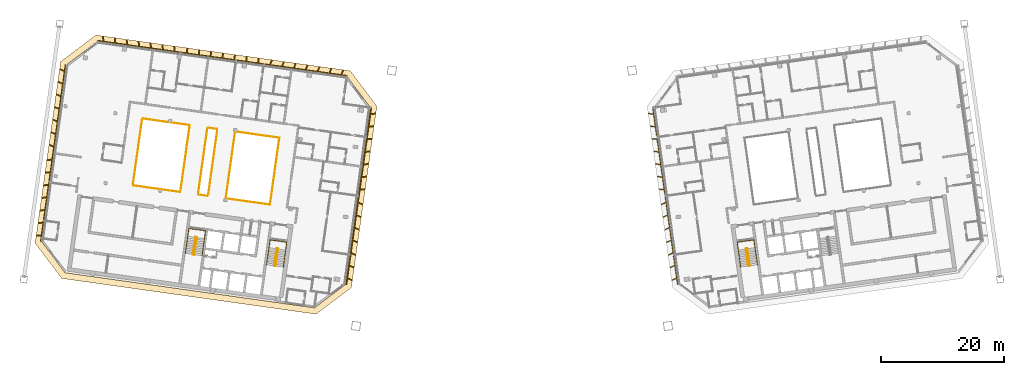
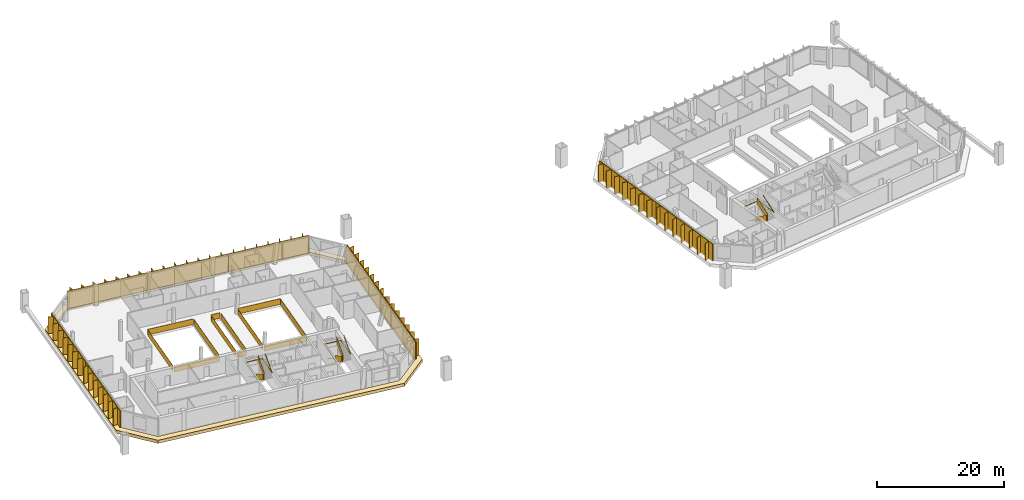
# One storey, part 25 of 26: 16 railings, 9 shading devices, 1 covering.
"""IFC4 building model written with IfcOpenShell, lengths in metres."""

from ifc_helpers import new_model, si_unit, direction, frame, origin, origin_2d, place, context, subcontext, project, spatial, polyline, rectangle, outline, extrude, material, layer, layer_set, type_object, element, save


model = new_model("IFC4")

# Units and contexts
model_context = context("Model", 3, precision=1e-05, world=origin(), true_north=direction((0.0, 1.0)))
body_context = subcontext(model_context, "Body", "Model", "MODEL_VIEW")
ifc_project = project(units=[si_unit("LENGTHUNIT", "METRE"), si_unit("AREAUNIT", "SQUARE_METRE"), si_unit("VOLUMEUNIT", "CUBIC_METRE"), si_unit("PLANEANGLEUNIT", "RADIAN"), si_unit("MASSUNIT", "GRAM", prefix="KILO")], contexts=[model_context])

# Site, building, storey
site_placement = place(None, origin())
site = spatial("IfcSite", under=ifc_project, at=site_placement, CompositionType="ELEMENT")
building_placement = place(site_placement, origin())
building = spatial("IfcBuilding", under=site, at=building_placement, Name="Mirante Cascada Hotel Towers", CompositionType="ELEMENT")
storey_placement = place(building_placement, frame((0.0, 0.0, 216.6)))
storey = spatial("IfcBuildingStorey", under=building, at=storey_placement, Name="L51", CompositionType="ELEMENT", Elevation=216.6)

# Railings
ifc_material_1 = material(Name="Toughened glass with stainless steel handrail", Category="steel")
railing_type_1 = type_object("IfcRailingType", Name="Atrium guard 1100 glass balustrade", PredefinedType="GUARDRAIL", material=ifc_material_1)
railing_1_placement = place(storey_placement, frame((-45.0091, 7.7841, 0.0)))
element("IfcRailing", 1, at=railing_1_placement, inside=storey, type_object=railing_type_1, Name="GUARD 1-L51-1", PredefinedType="GUARDRAIL", context=body_context, shape_type="SweptSolid", body=[
    extrude(rectangle(XDim=0.048, YDim=0.048, at=origin_2d()), frame((0.0, 0.0, 1.076), z_axis=(0.9902678, -0.1391751, 0.0), x_axis=(0.1391751, 0.9902678, 0.0)), (0.0, 0.0, 1.0), 7.2247),
    extrude(rectangle(XDim=0.02, YDim=1.052, at=origin_2d()), frame((0.0, 0.0, 0.526), z_axis=(0.9902678, -0.1391751, 0.0), x_axis=(0.1391751, 0.9902678, 0.0)), (0.0, 0.0, 1.0), 7.2247),
    extrude(rectangle(XDim=0.048, YDim=0.048, at=origin_2d()), frame((7.1544, -1.0055, 1.076), z_axis=(-0.1391721, -0.9902682, 0.0), x_axis=(0.9902682, -0.1391721, 0.0)), (0.0, 0.0, 1.0), 11.0001),
    extrude(rectangle(XDim=0.02, YDim=1.052, at=origin_2d()), frame((7.1544, -1.0055, 0.526), z_axis=(-0.1391721, -0.9902682, 0.0), x_axis=(0.9902682, -0.1391721, 0.0)), (0.0, 0.0, 1.0), 11.0001),
    extrude(rectangle(XDim=0.048, YDim=0.048, at=origin_2d()), frame((5.6235, -11.8985, 1.076), z_axis=(-0.9902678, 0.1391751, 0.0), x_axis=(-0.1391751, -0.9902678, 0.0)), (0.0, 0.0, 1.0), 7.2247),
    extrude(rectangle(XDim=0.02, YDim=1.052, at=origin_2d()), frame((5.6235, -11.8985, 0.526), z_axis=(-0.9902678, 0.1391751, 0.0), x_axis=(-0.1391751, -0.9902678, 0.0)), (0.0, 0.0, 1.0), 7.2247),
])
railing_2_placement = place(storey_placement, frame((-49.5108, -2.6914, 0.0)))
element("IfcRailing", 2, at=railing_2_placement, inside=storey, type_object=railing_type_1, Name="GUARD 1-L51-2", PredefinedType="GUARDRAIL", context=body_context, shape_type="SweptSolid", body=[
    extrude(rectangle(XDim=0.048, YDim=0.048, at=origin_2d()), frame((0.0, 0.0, 1.076), z_axis=(-0.9902609, 0.1392243, 0.0), x_axis=(-0.1392243, -0.9902609, 0.0)), (0.0, 0.0, 1.0), 1.555),
    extrude(rectangle(XDim=0.02, YDim=1.052, at=origin_2d()), frame((0.0, 0.0, 0.526), z_axis=(-0.9902609, 0.1392243, 0.0), x_axis=(-0.1392243, -0.9902609, 0.0)), (0.0, 0.0, 1.0), 1.555),
])
railing_3_placement = place(storey_placement, frame((-49.5198, 8.418, 0.0)))
element("IfcRailing", 3, at=railing_3_placement, inside=storey, type_object=railing_type_1, Name="GUARD 1-L51-3", PredefinedType="GUARDRAIL", context=body_context, shape_type="SweptSolid", body=[
    extrude(rectangle(XDim=0.048, YDim=0.048, at=origin_2d()), frame((0.0, 0.0, 1.076), z_axis=(0.9902697, -0.1391612, 0.0), x_axis=(0.1391612, 0.9902697, 0.0)), (0.0, 0.0, 1.0), 1.555),
    extrude(rectangle(XDim=0.02, YDim=1.052, at=origin_2d()), frame((0.0, 0.0, 0.526), z_axis=(0.9902697, -0.1391612, 0.0), x_axis=(0.1391612, 0.9902697, 0.0)), (0.0, 0.0, 1.0), 1.555),
])
railing_4_placement = place(storey_placement, frame((-54.0215, -2.0574, 0.0)))
element("IfcRailing", 4, at=railing_4_placement, inside=storey, type_object=railing_type_1, Name="GUARD 1-L51-4", PredefinedType="GUARDRAIL", context=body_context, shape_type="SweptSolid", body=[
    extrude(rectangle(XDim=0.048, YDim=0.048, at=origin_2d()), frame((0.0, 0.0, 1.076), z_axis=(-0.9902689, 0.1391669, 0.0), x_axis=(-0.1391669, -0.9902689, 0.0)), (0.0, 0.0, 1.0), 7.7202),
    extrude(rectangle(XDim=0.02, YDim=1.052, at=origin_2d()), frame((0.0, 0.0, 0.526), z_axis=(-0.9902689, 0.1391669, 0.0), x_axis=(-0.1391669, -0.9902689, 0.0)), (0.0, 0.0, 1.0), 7.7202),
    extrude(rectangle(XDim=0.048, YDim=0.048, at=origin_2d()), frame((-7.6451, 1.0744, 1.076), z_axis=(0.9902918, -0.1390043, 0.0), x_axis=(0.1390043, 0.9902918, 0.0)), (0.0, 0.0, 1.0), 0.1101),
    extrude(rectangle(XDim=0.02, YDim=1.052, at=origin_2d()), frame((-7.6451, 1.0744, 0.526), z_axis=(0.9902918, -0.1390043, 0.0), x_axis=(0.1390043, 0.9902918, 0.0)), (0.0, 0.0, 1.0), 0.1101),
])
railing_5_placement = place(storey_placement, frame((-60.0267, 9.8947, 0.0)))
element("IfcRailing", 5, at=railing_5_placement, inside=storey, type_object=railing_type_1, Name="GUARD 1-L51-5", PredefinedType="GUARDRAIL", context=body_context, shape_type="SweptSolid", body=[
    extrude(rectangle(XDim=0.048, YDim=0.048, at=origin_2d()), frame((0.0, 0.0, 1.076), z_axis=(-0.9902918, 0.1390043, 0.0), x_axis=(-0.1390043, -0.9902918, 0.0)), (0.0, 0.0, 1.0), 0.1101),
    extrude(rectangle(XDim=0.02, YDim=1.052, at=origin_2d()), frame((0.0, 0.0, 0.526), z_axis=(-0.9902918, 0.1390043, 0.0), x_axis=(-0.1390043, -0.9902918, 0.0)), (0.0, 0.0, 1.0), 0.1101),
    extrude(rectangle(XDim=0.048, YDim=0.048, at=origin_2d()), frame((-0.109, 0.0153, 1.076), z_axis=(0.9902672, -0.1391796, 0.0), x_axis=(0.1391796, 0.9902672, 0.0)), (0.0, 0.0, 1.0), 7.7202),
    extrude(rectangle(XDim=0.02, YDim=1.052, at=origin_2d()), frame((-0.109, 0.0153, 0.526), z_axis=(0.9902672, -0.1391796, 0.0), x_axis=(0.1391796, 0.9902672, 0.0)), (0.0, 0.0, 1.0), 7.7202),
])
railing_6_placement = place(storey_placement, frame((-60.2263, 9.6243, 0.0)))
element("IfcRailing", 6, at=railing_6_placement, inside=storey, type_object=railing_type_1, Name="GUARD 1-L51-6", PredefinedType="GUARDRAIL", context=body_context, shape_type="SweptSolid", body=[
    extrude(rectangle(XDim=0.048, YDim=0.048, at=origin_2d()), frame((0.0, 0.0, 1.076), z_axis=(-0.1391776, -0.9902674, 0.0), x_axis=(0.9902674, -0.1391776, 0.0)), (0.0, 0.0, 1.0), 10.409),
    extrude(rectangle(XDim=0.02, YDim=1.052, at=origin_2d()), frame((0.0, 0.0, 0.526), z_axis=(-0.1391776, -0.9902674, 0.0), x_axis=(0.9902674, -0.1391776, 0.0)), (0.0, 0.0, 1.0), 10.409),
])
railing_7_placement = place(storey_placement, frame((-53.9318, -1.7715, 0.0)))
element("IfcRailing", 7, at=railing_7_placement, inside=storey, type_object=railing_type_1, Name="GUARD 1-L51-7", PredefinedType="GUARDRAIL", context=body_context, shape_type="SweptSolid", body=[
    extrude(rectangle(XDim=0.048, YDim=0.048, at=origin_2d()), frame((0.0, 0.0, 1.076), z_axis=(0.1391721, 0.9902682, 0.0), x_axis=(-0.9902682, 0.1391721, 0.0)), (0.0, 0.0, 1.0), 10.4087),
    extrude(rectangle(XDim=0.02, YDim=1.052, at=origin_2d()), frame((0.0, 0.0, 0.526), z_axis=(0.1391721, 0.9902682, 0.0), x_axis=(-0.9902682, 0.1391721, 0.0)), (0.0, 0.0, 1.0), 10.4087),
])
railing_8_placement = place(storey_placement, frame((-49.6095, 8.1321, 0.0)))
element("IfcRailing", 8, at=railing_8_placement, inside=storey, type_object=railing_type_1, Name="GUARD 1-L51-8", PredefinedType="GUARDRAIL", context=body_context, shape_type="SweptSolid", body=[
    extrude(rectangle(XDim=0.048, YDim=0.048, at=origin_2d()), frame((0.0, 0.0, 1.076), z_axis=(-0.1391721, -0.9902682, 0.0), x_axis=(0.9902682, -0.1391721, 0.0)), (0.0, 0.0, 1.0), 10.4087),
    extrude(rectangle(XDim=0.02, YDim=1.052, at=origin_2d()), frame((0.0, 0.0, 0.526), z_axis=(-0.1391721, -0.9902682, 0.0), x_axis=(0.9902682, -0.1391721, 0.0)), (0.0, 0.0, 1.0), 10.4087),
])
railing_9_placement = place(storey_placement, frame((-49.4211, -2.4054, 0.0)))
element("IfcRailing", 9, at=railing_9_placement, inside=storey, type_object=railing_type_1, Name="GUARD 1-L51-9", PredefinedType="GUARDRAIL", context=body_context, shape_type="SweptSolid", body=[
    extrude(rectangle(XDim=0.048, YDim=0.048, at=origin_2d()), frame((0.0, 0.0, 1.076), z_axis=(0.1391721, 0.9902682, 0.0), x_axis=(-0.9902682, 0.1391721, 0.0)), (0.0, 0.0, 1.0), 10.4087),
    extrude(rectangle(XDim=0.02, YDim=1.052, at=origin_2d()), frame((0.0, 0.0, 0.526), z_axis=(0.1391721, 0.9902682, 0.0), x_axis=(-0.9902682, 0.1391721, 0.0)), (0.0, 0.0, 1.0), 10.4087),
])
railing_10_placement = place(storey_placement, frame((-45.0988, 7.4981, 0.0)))
element("IfcRailing", 10, at=railing_10_placement, inside=storey, type_object=railing_type_1, Name="GUARD 1-L51-10", PredefinedType="GUARDRAIL", context=body_context, shape_type="SweptSolid", body=[
    extrude(rectangle(XDim=0.048, YDim=0.048, at=origin_2d()), frame((0.0, 0.0, 1.076), z_axis=(-0.1391721, -0.9902682, 0.0), x_axis=(0.9902682, -0.1391721, 0.0)), (0.0, 0.0, 1.0), 10.4087),
    extrude(rectangle(XDim=0.02, YDim=1.052, at=origin_2d()), frame((0.0, 0.0, 0.526), z_axis=(-0.1391721, -0.9902682, 0.0), x_axis=(0.9902682, -0.1391721, 0.0)), (0.0, 0.0, 1.0), 10.4087),
])

# Covering
ifc_material_2 = material(Name="Precast concrete C40/50 white", Category="concrete")
ifc_layer = layer(ifc_material_2, 0.6)
ifc_layer_set = layer_set([ifc_layer], Name="Precast concrete SUNSHADE band 1000x600")
covering_type = type_object("IfcCoveringType", Name="Precast concrete SUNSHADE band 1000x600", PredefinedType="CLADDING", material=ifc_layer_set)
covering_placement = place(storey_placement, frame((0.0, 0.0, -0.45)))
element("IfcCovering", 11, at=covering_placement, inside=storey, type_object=covering_type, Name="Precast concrete SUNSHADE band T1 L51", PredefinedType="CLADDING", context=body_context, shape_type="SweptSolid", body=[
    extrude(outline(polyline([(-77.628, -10.3671), (-73.4767, 19.171), (-67.7326, 23.4995), (-26.3156, 17.6787), (-21.9871, 11.9346), (-26.1384, -17.6035), (-31.8825, -21.932), (-73.2995, -16.1112), (-77.628, -10.3671)]), holes=[polyline([(-23.035, 11.6636), (-26.865, 16.7461), (-67.4616, 22.4516), (-72.5441, 18.6217), (-76.5801, -10.0961), (-72.7501, -15.1786), (-32.1535, -20.8841), (-27.071, -17.0541), (-23.035, 11.6636)])]), origin(), (0.0, 0.0, 1.0), 0.6),
])

# Railings
ifc_material_3 = material(Name="Painted steel", Category="steel")
railing_type_2 = type_object("IfcRailingType", Name="Stair guard 1100 steel balustrade", PredefinedType="GUARDRAIL", material=ifc_material_3)
railing_11_placement = place(storey_placement, frame((-38.1178, -11.2603, 0.0)))
element("IfcRailing", 12, at=railing_11_placement, inside=storey, type_object=railing_type_2, Name="L51 ST1-A stair guard 1", PredefinedType="GUARDRAIL", context=body_context, shape_type="SweptSolid", body=[
    extrude(rectangle(XDim=0.048, YDim=0.048, at=origin_2d()), frame((0.0, 0.0, 1.076), z_axis=(-0.9903326, 0.1387133, 0.0), x_axis=(-0.1387133, -0.9903326, 0.0)), (0.0, 0.0, 1.0), 0.1499),
    extrude(rectangle(XDim=0.02, YDim=1.052, at=origin_2d()), frame((0.0, 0.0, 0.526), z_axis=(-0.9903326, 0.1387133, 0.0), x_axis=(-0.1387133, -0.9903326, 0.0)), (0.0, 0.0, 1.0), 0.1499),
    extrude(rectangle(XDim=0.048, YDim=0.048, at=origin_2d()), frame((-0.1485, 0.0208, 1.076), z_axis=(-0.7991505, -0.6011309, 0.0), x_axis=(0.6011309, -0.7991505, 0.0)), (0.0, 0.9254529, 0.3788627), 0.1866),
    extrude(rectangle(XDim=0.02, YDim=1.052, at=origin_2d()), frame((-0.1485, 0.0208, 0.526), z_axis=(-0.7991505, -0.6011309, 0.0), x_axis=(0.6011309, -0.7991505, 0.0)), (0.0, 0.9254529, 0.3788627), 0.1866),
    extrude(rectangle(XDim=0.048, YDim=0.048, at=origin_2d()), frame((-0.205, -0.0217, 1.2487), z_axis=(-0.139176, -0.9902677, 0.0), x_axis=(0.9902677, -0.139176, 0.0)), (0.0, 0.5250212, 0.8510891), 3.29),
    extrude(rectangle(XDim=0.02, YDim=1.052, at=origin_2d()), frame((-0.205, -0.0217, 0.6987), z_axis=(-0.139176, -0.9902677, 0.0), x_axis=(0.9902677, -0.139176, 0.0)), (0.0, 0.5250212, 0.8510891), 3.29),
    extrude(rectangle(XDim=0.048, YDim=0.048, at=origin_2d()), frame((-0.5947, -2.7945, 2.976), z_axis=(0.9270311, -0.3749843, 0.0), x_axis=(0.3749843, 0.9270311, 0.0)), (0.0, 0.0, 1.0), 0.2061),
    extrude(rectangle(XDim=0.02, YDim=1.052, at=origin_2d()), frame((-0.5947, -2.7945, 2.426), z_axis=(0.9270311, -0.3749843, 0.0), x_axis=(0.3749843, 0.9270311, 0.0)), (0.0, 0.0, 1.0), 0.2061),
    extrude(rectangle(XDim=0.048, YDim=0.048, at=origin_2d()), frame((-0.4036, -2.8718, 2.976), z_axis=(-0.9902408, 0.1393672, 0.0), x_axis=(-0.1393672, -0.9902408, 0.0)), (0.0, 0.0, 1.0), 0.15),
    extrude(rectangle(XDim=0.02, YDim=1.052, at=origin_2d()), frame((-0.4036, -2.8718, 2.426), z_axis=(-0.9902408, 0.1393672, 0.0), x_axis=(-0.1393672, -0.9902408, 0.0)), (0.0, 0.0, 1.0), 0.15),
    extrude(rectangle(XDim=0.048, YDim=0.048, at=origin_2d()), frame((-0.5521, -2.8509, 2.976), z_axis=(0.9944948, 0.1047858, 0.0), x_axis=(-0.1047858, 0.9944948, 0.0)), (0.0, 0.6422034, 0.7665343), 0.2689),
    extrude(rectangle(XDim=0.02, YDim=1.052, at=origin_2d()), frame((-0.5521, -2.8509, 2.426), z_axis=(0.9944948, 0.1047858, 0.0), x_axis=(-0.1047858, 0.9944948, 0.0)), (0.0, 0.6422034, 0.7665343), 0.2689),
    extrude(rectangle(XDim=0.048, YDim=0.048, at=origin_2d()), frame((-0.3471, -2.8293, 3.1487), z_axis=(0.139176, 0.9902677, 0.0), x_axis=(-0.9902677, 0.139176, 0.0)), (0.0, 0.5250212, 0.8510891), 3.29),
    extrude(rectangle(XDim=0.02, YDim=1.052, at=origin_2d()), frame((-0.3471, -2.8293, 2.5987), z_axis=(0.139176, 0.9902677, 0.0), x_axis=(-0.9902677, 0.139176, 0.0)), (0.0, 0.5250212, 0.8510891), 3.29),
])
railing_12_placement = place(storey_placement, frame((-51.3379, -9.4024, 0.0)))
element("IfcRailing", 13, at=railing_12_placement, inside=storey, type_object=railing_type_2, Name="L51 ST1-B stair guard 1", PredefinedType="GUARDRAIL", context=body_context, shape_type="SweptSolid", body=[
    extrude(rectangle(XDim=0.048, YDim=0.048, at=origin_2d()), frame((0.0, 0.0, 1.076), z_axis=(-0.9902408, 0.1393672, 0.0), x_axis=(-0.1393672, -0.9902408, 0.0)), (0.0, 0.0, 1.0), 0.15),
    extrude(rectangle(XDim=0.02, YDim=1.052, at=origin_2d()), frame((0.0, 0.0, 0.526), z_axis=(-0.9902408, 0.1393672, 0.0), x_axis=(-0.1393672, -0.9902408, 0.0)), (0.0, 0.0, 1.0), 0.15),
    extrude(rectangle(XDim=0.048, YDim=0.048, at=origin_2d()), frame((-0.1485, 0.0209, 1.076), z_axis=(-0.7984711, -0.6020331, 0.0), x_axis=(0.6020331, -0.7984711, 0.0)), (0.0, 0.9253398, 0.3791387), 0.1866),
    extrude(rectangle(XDim=0.02, YDim=1.052, at=origin_2d()), frame((-0.1485, 0.0209, 0.526), z_axis=(-0.7984711, -0.6020331, 0.0), x_axis=(0.6020331, -0.7984711, 0.0)), (0.0, 0.9253398, 0.3791387), 0.1866),
    extrude(rectangle(XDim=0.048, YDim=0.048, at=origin_2d()), frame((-0.205, -0.0217, 1.2487), z_axis=(-0.139181, -0.990267, 0.0), x_axis=(0.990267, -0.139181, 0.0)), (0.0, 0.5250347, 0.8510808), 3.2899),
    extrude(rectangle(XDim=0.02, YDim=1.052, at=origin_2d()), frame((-0.205, -0.0217, 0.6987), z_axis=(-0.139181, -0.990267, 0.0), x_axis=(0.990267, -0.139181, 0.0)), (0.0, 0.5250347, 0.8510808), 3.2899),
    extrude(rectangle(XDim=0.048, YDim=0.048, at=origin_2d()), frame((-0.5947, -2.7944, 2.976), z_axis=(0.9268624, -0.3754011, 0.0), x_axis=(0.3754011, 0.9268624, 0.0)), (0.0, 0.0, 1.0), 0.2062),
    extrude(rectangle(XDim=0.02, YDim=1.052, at=origin_2d()), frame((-0.5947, -2.7944, 2.426), z_axis=(0.9268624, -0.3754011, 0.0), x_axis=(0.3754011, 0.9268624, 0.0)), (0.0, 0.0, 1.0), 0.2062),
    extrude(rectangle(XDim=0.048, YDim=0.048, at=origin_2d()), frame((-0.4036, -2.8718, 2.976), z_axis=(-0.9902408, 0.1393672, 0.0), x_axis=(-0.1393672, -0.9902408, 0.0)), (0.0, 0.0, 1.0), 0.15),
    extrude(rectangle(XDim=0.02, YDim=1.052, at=origin_2d()), frame((-0.4036, -2.8718, 2.426), z_axis=(-0.9902408, 0.1393672, 0.0), x_axis=(-0.1393672, -0.9902408, 0.0)), (0.0, 0.0, 1.0), 0.15),
    extrude(rectangle(XDim=0.048, YDim=0.048, at=origin_2d()), frame((-0.5521, -2.8509, 2.976), z_axis=(0.9944441, 0.1052656, 0.0), x_axis=(-0.1052656, 0.9944441, 0.0)), (0.0, 0.6421842, 0.7665504), 0.2689),
    extrude(rectangle(XDim=0.02, YDim=1.052, at=origin_2d()), frame((-0.5521, -2.8509, 2.426), z_axis=(0.9944441, 0.1052656, 0.0), x_axis=(-0.1052656, 0.9944441, 0.0)), (0.0, 0.6421842, 0.7665504), 0.2689),
    extrude(rectangle(XDim=0.048, YDim=0.048, at=origin_2d()), frame((-0.3471, -2.8292, 3.1487), z_axis=(0.139181, 0.990267, 0.0), x_axis=(-0.990267, 0.139181, 0.0)), (0.0, 0.5250347, 0.8510808), 3.2899),
    extrude(rectangle(XDim=0.02, YDim=1.052, at=origin_2d()), frame((-0.3471, -2.8292, 2.5987), z_axis=(0.139181, 0.990267, 0.0), x_axis=(-0.990267, 0.139181, 0.0)), (0.0, 0.5250347, 0.8510808), 3.2899),
])
railing_13_placement = place(storey_placement, frame((38.2663, -11.2395, 0.0)))
element("IfcRailing", 14, at=railing_13_placement, inside=storey, type_object=railing_type_2, Name="L51 ST2-A stair guard 1", PredefinedType="GUARDRAIL", context=body_context, shape_type="SweptSolid", body=[
    extrude(rectangle(XDim=0.048, YDim=0.048, at=origin_2d()), frame((0.0, 0.0, 1.076), z_axis=(-0.9903326, -0.1387133, 0.0), x_axis=(0.1387133, -0.9903326, 0.0)), (0.0, 0.0, 1.0), 0.1499),
    extrude(rectangle(XDim=0.02, YDim=1.052, at=origin_2d()), frame((0.0, 0.0, 0.526), z_axis=(-0.9903326, -0.1387133, 0.0), x_axis=(0.1387133, -0.9903326, 0.0)), (0.0, 0.0, 1.0), 0.1499),
    extrude(rectangle(XDim=0.048, YDim=0.048, at=origin_2d()), frame((-0.1485, -0.0208, 1.076), z_axis=(-0.6020331, -0.7984711, 0.0), x_axis=(0.7984711, -0.6020331, 0.0)), (0.0, 0.9253398, 0.3791387), 0.1866),
    extrude(rectangle(XDim=0.02, YDim=1.052, at=origin_2d()), frame((-0.1485, -0.0208, 0.526), z_axis=(-0.6020331, -0.7984711, 0.0), x_axis=(0.7984711, -0.6020331, 0.0)), (0.0, 0.9253398, 0.3791387), 0.1866),
    extrude(rectangle(XDim=0.048, YDim=0.048, at=origin_2d()), frame((-0.1911, -0.0773, 1.2487), z_axis=(0.139176, -0.9902677, 0.0), x_axis=(0.9902677, 0.139176, 0.0)), (0.0, 0.5250212, 0.8510891), 3.29),
    extrude(rectangle(XDim=0.02, YDim=1.052, at=origin_2d()), frame((-0.1911, -0.0773, 0.6987), z_axis=(0.139176, -0.9902677, 0.0), x_axis=(0.9902677, 0.139176, 0.0)), (0.0, 0.5250212, 0.8510891), 3.29),
    extrude(rectangle(XDim=0.048, YDim=0.048, at=origin_2d()), frame((0.1986, -2.8501, 2.976), z_axis=(0.9944948, -0.1047858, 0.0), x_axis=(0.1047858, 0.9944948, 0.0)), (0.0, 0.0, 1.0), 0.2061),
    extrude(rectangle(XDim=0.02, YDim=1.052, at=origin_2d()), frame((0.1986, -2.8501, 2.426), z_axis=(0.9944948, -0.1047858, 0.0), x_axis=(0.1047858, 0.9944948, 0.0)), (0.0, 0.0, 1.0), 0.2061),
    extrude(rectangle(XDim=0.048, YDim=0.048, at=origin_2d()), frame((0.4036, -2.8717, 2.976), z_axis=(-0.9902408, -0.1393672, 0.0), x_axis=(0.1393672, -0.9902408, 0.0)), (0.0, 0.0, 1.0), 0.15),
    extrude(rectangle(XDim=0.02, YDim=1.052, at=origin_2d()), frame((0.4036, -2.8717, 2.426), z_axis=(-0.9902408, -0.1393672, 0.0), x_axis=(0.1393672, -0.9902408, 0.0)), (0.0, 0.0, 1.0), 0.15),
    extrude(rectangle(XDim=0.048, YDim=0.048, at=origin_2d()), frame((0.2551, -2.8926, 2.976), z_axis=(0.9270311, 0.3749843, 0.0), x_axis=(-0.3749843, 0.9270311, 0.0)), (0.0, 0.6421903, 0.7665452), 0.2689),
    extrude(rectangle(XDim=0.02, YDim=1.052, at=origin_2d()), frame((0.2551, -2.8926, 2.426), z_axis=(0.9270311, 0.3749843, 0.0), x_axis=(-0.3749843, 0.9270311, 0.0)), (0.0, 0.6421903, 0.7665452), 0.2689),
    extrude(rectangle(XDim=0.048, YDim=0.048, at=origin_2d()), frame((0.4462, -2.8153, 3.1487), z_axis=(-0.139176, 0.9902677, 0.0), x_axis=(-0.9902677, -0.139176, 0.0)), (0.0, 0.5250212, 0.8510891), 3.29),
    extrude(rectangle(XDim=0.02, YDim=1.052, at=origin_2d()), frame((0.4462, -2.8153, 2.5987), z_axis=(-0.139176, 0.9902677, 0.0), x_axis=(-0.9902677, -0.139176, 0.0)), (0.0, 0.5250212, 0.8510891), 3.29),
])
ifc_material_4 = material(Name="Painted steel", Category="steel")
railing_type_3 = type_object("IfcRailingType", Name="Stair handrail 900 steel tube", PredefinedType="HANDRAIL", material=ifc_material_4)
railing_14_placement = place(storey_placement, frame((-39.5606, -11.1081, 0.1727)))
element("IfcRailing", 15, at=railing_14_placement, inside=storey, type_object=railing_type_3, Name="L51 ST1-A stair handrail 1", PredefinedType="HANDRAIL", context=body_context, shape_type="SweptSolid", body=[
    extrude(rectangle(XDim=0.048, YDim=0.048, at=origin_2d()), frame((0.0, 0.0, 0.876), z_axis=(-0.139181, -0.990267, 0.0), x_axis=(0.990267, -0.139181, 0.0)), (0.0, 0.5250347, 0.8510808), 3.2899),
    extrude(rectangle(XDim=0.048, YDim=0.048, at=origin_2d()), frame((-0.3897, -2.7727, 2.6033), z_axis=(0.1391707, 0.9902684, 0.0), x_axis=(-0.9902684, 0.1391707, 0.0)), (0.0, 0.0420846, 0.999114), 4.1036),
    extrude(rectangle(XDim=0.048, YDim=0.048, at=origin_2d()), frame((0.1809, 1.2874, 2.776), z_axis=(0.9902691, -0.1391657, 0.0), x_axis=(0.1391657, 0.9902691, 0.0)), (0.0, 0.0, 1.0), 2.75),
    extrude(rectangle(XDim=0.048, YDim=0.048, at=origin_2d()), frame((2.9041, 0.9047, 2.776), z_axis=(-0.1391707, -0.9902684, 0.0), x_axis=(0.9902684, -0.1391707, 0.0)), (0.0, 0.0, 1.0), 4.1),
    extrude(rectangle(XDim=0.048, YDim=0.048, at=origin_2d()), frame((2.3335, -3.1554, 2.776), z_axis=(0.139181, 0.990267, 0.0), x_axis=(-0.990267, 0.139181, 0.0)), (0.0, 0.5250347, 0.8510808), 3.2899),
])
railing_15_placement = place(storey_placement, frame((-52.7807, -9.2501, 0.1727)))
element("IfcRailing", 16, at=railing_15_placement, inside=storey, type_object=railing_type_3, Name="L51 ST1-B stair handrail 1", PredefinedType="HANDRAIL", context=body_context, shape_type="SweptSolid", body=[
    extrude(rectangle(XDim=0.048, YDim=0.048, at=origin_2d()), frame((0.0, 0.0, 0.876), z_axis=(-0.139181, -0.990267, 0.0), x_axis=(0.990267, -0.139181, 0.0)), (0.0, 0.5250347, 0.8510808), 3.2899),
    extrude(rectangle(XDim=0.048, YDim=0.048, at=origin_2d()), frame((-0.3897, -2.7727, 2.6033), z_axis=(0.1391707, 0.9902684, 0.0), x_axis=(-0.9902684, 0.1391707, 0.0)), (0.0, 0.0420846, 0.999114), 4.1036),
    extrude(rectangle(XDim=0.048, YDim=0.048, at=origin_2d()), frame((0.1809, 1.2874, 2.776), z_axis=(0.9902641, -0.1392013, 0.0), x_axis=(0.1392013, 0.9902641, 0.0)), (0.0, 0.0, 1.0), 2.75),
    extrude(rectangle(XDim=0.048, YDim=0.048, at=origin_2d()), frame((2.9041, 0.9046, 2.776), z_axis=(-0.1391707, -0.9902684, 0.0), x_axis=(0.9902684, -0.1391707, 0.0)), (0.0, 0.0, 1.0), 4.1),
    extrude(rectangle(XDim=0.048, YDim=0.048, at=origin_2d()), frame((2.3335, -3.1555, 2.776), z_axis=(0.139176, 0.9902677, 0.0), x_axis=(-0.9902677, 0.139176, 0.0)), (0.0, 0.5250212, 0.8510891), 3.29),
])
railing_16_placement = place(storey_placement, frame((36.8374, -11.4908, 0.1727)))
element("IfcRailing", 17, at=railing_16_placement, inside=storey, type_object=railing_type_3, Name="L51 ST2-A stair handrail 1", PredefinedType="HANDRAIL", context=body_context, shape_type="SweptSolid", body=[
    extrude(rectangle(XDim=0.048, YDim=0.048, at=origin_2d()), frame((0.0, 0.0, 0.876), z_axis=(0.139181, -0.990267, 0.0), x_axis=(0.990267, 0.139181, 0.0)), (0.0, 0.5250347, 0.8510808), 3.2899),
    extrude(rectangle(XDim=0.048, YDim=0.048, at=origin_2d()), frame((0.3897, -2.7727, 2.6033), z_axis=(-0.1391707, 0.9902684, 0.0), x_axis=(-0.9902684, -0.1391707, 0.0)), (0.0, 0.0420846, 0.999114), 4.1036),
    extrude(rectangle(XDim=0.048, YDim=0.048, at=origin_2d()), frame((-0.1809, 1.2874, 2.776), z_axis=(0.9902691, 0.1391657, 0.0), x_axis=(-0.1391657, 0.9902691, 0.0)), (0.0, 0.0, 1.0), 2.75),
    extrude(rectangle(XDim=0.048, YDim=0.048, at=origin_2d()), frame((2.5423, 1.6701, 2.776), z_axis=(0.1391707, -0.9902684, 0.0), x_axis=(0.9902684, 0.1391707, 0.0)), (0.0, 0.0, 1.0), 4.1),
    extrude(rectangle(XDim=0.048, YDim=0.048, at=origin_2d()), frame((3.1129, -2.39, 2.776), z_axis=(-0.139181, 0.990267, 0.0), x_axis=(-0.990267, -0.139181, 0.0)), (0.0, 0.5250347, 0.8510808), 3.2899),
])

# Shading devices
ifc_material_5 = material(Name="White precast concrete C50/60 fin", Category="concrete")
shading_device_type = type_object("IfcShadingDeviceType", Name="Vertical fin set 4500x900", PredefinedType="USERDEFINED", material=ifc_material_5)
shading_device_1_placement = place(storey_placement, origin())
element("IfcShadingDevice", 18, at=shading_device_1_placement, inside=storey, type_object=shading_device_type, Name="FIN T1 L51 front 1", ObjectType="FIN", PredefinedType="USERDEFINED", context=body_context, shape_type="SweptSolid", body=[
    extrude(outline(polyline([(-54.8473, 20.8303), (-53.9085, 20.6983), (-53.9294, 20.5498), (-67.4616, 22.4516), (-67.4407, 22.6001), (-66.5284, 22.4719), (-66.6304, 23.3032), (-66.551, 23.313), (-66.4464, 22.4604), (-64.5952, 22.2002), (-64.6973, 23.0315), (-64.6179, 23.0413), (-64.5132, 22.1887), (-62.662, 21.9285), (-62.7641, 22.7598), (-62.6847, 22.7696), (-62.58, 21.917), (-60.7289, 21.6569), (-60.8309, 22.4881), (-60.7515, 22.4979), (-60.6468, 21.6453), (-58.7957, 21.3852), (-58.8978, 22.2164), (-58.8184, 22.2262), (-58.7137, 21.3736), (-56.8625, 21.1135), (-56.9646, 21.9448), (-56.8852, 21.9545), (-56.7805, 21.102), (-54.9293, 20.8418), (-55.0314, 21.6731), (-54.952, 21.6828), (-54.8473, 20.8303)])), origin(), (0.0, 0.0, 1.0), 3.35),
])
shading_device_2_placement = place(storey_placement, origin())
element("IfcShadingDevice", 19, at=shading_device_2_placement, inside=storey, type_object=shading_device_type, Name="FIN T1 L51 front 2", ObjectType="FIN", PredefinedType="USERDEFINED", context=body_context, shape_type="SweptSolid", body=[
    extrude(outline(polyline([(-41.3033, 18.9268), (-40.3763, 18.7965), (-40.3972, 18.6479), (-53.9294, 20.5498), (-53.9085, 20.6983), (-52.9815, 20.568), (-52.8632, 21.4098), (-52.784, 21.3986), (-52.9023, 20.5569), (-51.0483, 20.2963), (-50.93, 21.1381), (-50.8508, 21.1269), (-50.9691, 20.2852), (-49.1152, 20.0247), (-48.9969, 20.8664), (-48.9176, 20.8553), (-49.0359, 20.0135), (-47.182, 19.753), (-47.0637, 20.5947), (-46.9845, 20.5836), (-47.1028, 19.7418), (-45.2488, 19.4813), (-45.1305, 20.323), (-45.0513, 20.3119), (-45.1696, 19.4701), (-43.3157, 19.2096), (-43.1974, 20.0513), (-43.1181, 20.0402), (-43.2364, 19.1985), (-41.3825, 18.9379), (-41.2642, 19.7796), (-41.185, 19.7685), (-41.3033, 18.9268)])), origin(), (0.0, 0.0, 1.0), 3.35),
])
shading_device_3_placement = place(storey_placement, origin())
element("IfcShadingDevice", 20, at=shading_device_3_placement, inside=storey, type_object=shading_device_type, Name="FIN T1 L51 front 3", ObjectType="FIN", PredefinedType="USERDEFINED", context=body_context, shape_type="SweptSolid", body=[
    extrude(outline(polyline([(-27.7564, 17.0229), (-26.8441, 16.8947), (-26.865, 16.7461), (-40.3972, 18.6479), (-40.3763, 18.7965), (-39.4374, 18.6645), (-39.1018, 19.4552), (-39.0282, 19.424), (-39.3554, 18.653), (-37.5043, 18.3929), (-37.1686, 19.1835), (-37.095, 19.1523), (-37.4222, 18.3813), (-35.5711, 18.1212), (-35.2355, 18.9118), (-35.1618, 18.8806), (-35.4891, 18.1096), (-33.6379, 17.8495), (-33.3023, 18.6401), (-33.2287, 18.6089), (-33.5559, 17.8379), (-31.7047, 17.5778), (-31.3691, 18.3685), (-31.2955, 18.3372), (-31.6227, 17.5663), (-29.7716, 17.3061), (-29.436, 18.0968), (-29.3623, 18.0655), (-29.6896, 17.2946), (-27.8384, 17.0344), (-27.5028, 17.8251), (-27.4291, 17.7938), (-27.7564, 17.0229)])), origin(), (0.0, 0.0, 1.0), 3.35),
])
shading_device_4_placement = place(storey_placement, origin())
element("IfcShadingDevice", 21, at=shading_device_4_placement, inside=storey, type_object=shading_device_type, Name="FIN T1 L51 inner 1", ObjectType="FIN", PredefinedType="USERDEFINED", context=body_context, shape_type="SweptSolid", body=[
    extrude(outline(polyline([(-24.7643, -1.7182), (-24.9045, -2.7161), (-25.053, -2.6953), (-23.035, 11.6636), (-22.8865, 11.6428), (-23.023, 10.6714), (-22.1917, 10.7735), (-22.182, 10.6941), (-23.0345, 10.5894), (-23.3113, 8.6201), (-22.48, 8.7222), (-22.4703, 8.6428), (-23.3228, 8.5381), (-23.5996, 6.5689), (-22.7683, 6.6709), (-22.7586, 6.5915), (-23.6111, 6.4868), (-23.8879, 4.5176), (-23.0566, 4.6197), (-23.0468, 4.5403), (-23.8994, 4.4356), (-24.1762, 2.4663), (-23.3449, 2.5684), (-23.3351, 2.489), (-24.1877, 2.3843), (-24.4644, 0.4151), (-23.6332, 0.5171), (-23.6234, 0.4377), (-24.476, 0.333), (-24.7527, -1.6362), (-23.9214, -1.5341), (-23.9117, -1.6136), (-24.7643, -1.7182)])), origin(), (0.0, 0.0, 1.0), 3.35),
])
shading_device_5_placement = place(storey_placement, origin())
element("IfcShadingDevice", 22, at=shading_device_5_placement, inside=storey, type_object=shading_device_type, Name="FIN T1 L51 inner 2", ObjectType="FIN", PredefinedType="USERDEFINED", context=body_context, shape_type="SweptSolid", body=[
    extrude(outline(polyline([(-26.786, -16.1037), (-26.9225, -17.075), (-27.071, -17.0541), (-25.053, -2.6953), (-24.9045, -2.7161), (-25.0447, -3.714), (-24.2541, -4.0496), (-24.2853, -4.1233), (-25.0563, -3.796), (-25.333, -5.7653), (-24.5424, -6.1009), (-24.5736, -6.1746), (-25.3446, -5.8473), (-25.6213, -7.8166), (-24.8306, -8.1522), (-24.8619, -8.2258), (-25.6328, -7.8986), (-25.9096, -9.8678), (-25.1189, -10.2034), (-25.1502, -10.2771), (-25.9211, -9.9498), (-26.1979, -11.9191), (-25.4072, -12.2547), (-25.4385, -12.3284), (-26.2094, -12.0011), (-26.4862, -13.9704), (-25.6955, -14.306), (-25.7268, -14.3796), (-26.4977, -14.0524), (-26.7745, -16.0216), (-25.9838, -16.3573), (-26.0151, -16.4309), (-26.786, -16.1037)])), origin(), (0.0, 0.0, 1.0), 3.35),
])
shading_device_6_placement = place(storey_placement, origin())
element("IfcShadingDevice", 23, at=shading_device_6_placement, inside=storey, type_object=shading_device_type, Name="FIN T1 L51 outer 1", ObjectType="FIN", PredefinedType="USERDEFINED", context=body_context, shape_type="SweptSolid", body=[
    extrude(outline(polyline([(-76.5806, -9.0218), (-76.3038, -7.0526), (-77.1351, -7.1547), (-77.1448, -7.0753), (-76.2923, -6.9706), (-76.0155, -5.0013), (-76.8468, -5.1034), (-76.8565, -5.024), (-76.004, -4.9193), (-75.7272, -2.9501), (-76.5585, -3.0521), (-76.5683, -2.9727), (-75.7157, -2.868), (-75.4389, -0.8988), (-76.2702, -1.0009), (-76.28, -0.9214), (-75.4274, -0.8168), (-75.1507, 1.1525), (-75.9819, 1.0504), (-75.9917, 1.1298), (-75.1391, 1.2345), (-74.8624, 3.2038), (-75.6937, 3.1017), (-75.7034, 3.1811), (-74.8508, 3.2858), (-74.7106, 4.2837), (-74.5621, 4.2628), (-76.5801, -10.0961), (-76.7286, -10.0752), (-76.5921, -9.1039), (-77.4234, -9.2059), (-77.4331, -9.1265), (-76.5806, -9.0218)])), origin(), (0.0, 0.0, 1.0), 3.35),
])
shading_device_7_placement = place(storey_placement, origin())
element("IfcShadingDevice", 24, at=shading_device_7_placement, inside=storey, type_object=shading_device_type, Name="FIN T1 L51 outer 2", ObjectType="FIN", PredefinedType="USERDEFINED", context=body_context, shape_type="SweptSolid", body=[
    extrude(outline(polyline([(-74.5588, 5.3636), (-74.2821, 7.3328), (-75.0727, 7.6684), (-75.0415, 7.7421), (-74.2705, 7.4148), (-73.9938, 9.3841), (-74.7845, 9.7197), (-74.7532, 9.7934), (-73.9823, 9.4661), (-73.7055, 11.4354), (-74.4962, 11.771), (-74.4649, 11.8446), (-73.694, 11.5174), (-73.4172, 13.4866), (-74.2079, 13.8223), (-74.1766, 13.8959), (-73.4057, 13.5687), (-73.1289, 15.5379), (-73.9196, 15.8735), (-73.8883, 15.9472), (-73.1174, 15.6199), (-72.8406, 17.5892), (-73.6313, 17.9248), (-73.6, 17.9984), (-72.8291, 17.6712), (-72.6926, 18.6426), (-72.5441, 18.6217), (-74.5621, 4.2628), (-74.7106, 4.2837), (-74.5704, 5.2816), (-75.361, 5.6172), (-75.3298, 5.6908), (-74.5588, 5.3636)])), origin(), (0.0, 0.0, 1.0), 3.35),
])
shading_device_8_placement = place(storey_placement, origin())
element("IfcShadingDevice", 25, at=shading_device_8_placement, inside=storey, type_object=shading_device_type, Name="FIN T2 L51 inner 1", ObjectType="FIN", PredefinedType="USERDEFINED", context=body_context, shape_type="SweptSolid", body=[
    extrude(outline(polyline([(23.9214, -1.5341), (24.7527, -1.6362), (24.476, 0.333), (23.6234, 0.4377), (23.6332, 0.5171), (24.4644, 0.4151), (24.1877, 2.3843), (23.3351, 2.489), (23.3449, 2.5684), (24.1762, 2.4663), (23.8994, 4.4356), (23.0468, 4.5403), (23.0566, 4.6197), (23.8879, 4.5176), (23.6111, 6.4868), (22.7586, 6.5915), (22.7683, 6.6709), (23.5996, 6.5689), (23.3228, 8.5381), (22.4703, 8.6428), (22.48, 8.7222), (23.3113, 8.6201), (23.0345, 10.5894), (22.182, 10.6941), (22.1917, 10.7735), (23.023, 10.6714), (22.8865, 11.6428), (23.035, 11.6636), (25.053, -2.6953), (24.9045, -2.7161), (24.7643, -1.7182), (23.9117, -1.6136), (23.9214, -1.5341)])), origin(), (0.0, 0.0, 1.0), 3.35),
])
shading_device_9_placement = place(storey_placement, origin())
element("IfcShadingDevice", 26, at=shading_device_9_placement, inside=storey, type_object=shading_device_type, Name="FIN T2 L51 inner 2", ObjectType="FIN", PredefinedType="USERDEFINED", context=body_context, shape_type="SweptSolid", body=[
    extrude(outline(polyline([(25.9838, -16.3573), (26.7745, -16.0216), (26.4977, -14.0524), (25.7268, -14.3796), (25.6955, -14.306), (26.4862, -13.9704), (26.2094, -12.0011), (25.4385, -12.3284), (25.4072, -12.2547), (26.1979, -11.9191), (25.9211, -9.9498), (25.1502, -10.2771), (25.1189, -10.2034), (25.9096, -9.8678), (25.6328, -7.8986), (24.8619, -8.2258), (24.8306, -8.1522), (25.6213, -7.8166), (25.3446, -5.8473), (24.5736, -6.1746), (24.5424, -6.1009), (25.333, -5.7653), (25.0563, -3.796), (24.2853, -4.1233), (24.2541, -4.0496), (25.0447, -3.714), (24.9045, -2.7161), (25.053, -2.6953), (27.071, -17.0541), (26.9225, -17.075), (26.786, -16.1037), (26.0151, -16.4309), (25.9838, -16.3573)])), origin(), (0.0, 0.0, 1.0), 3.35),
])

save(model, "model.ifc")
